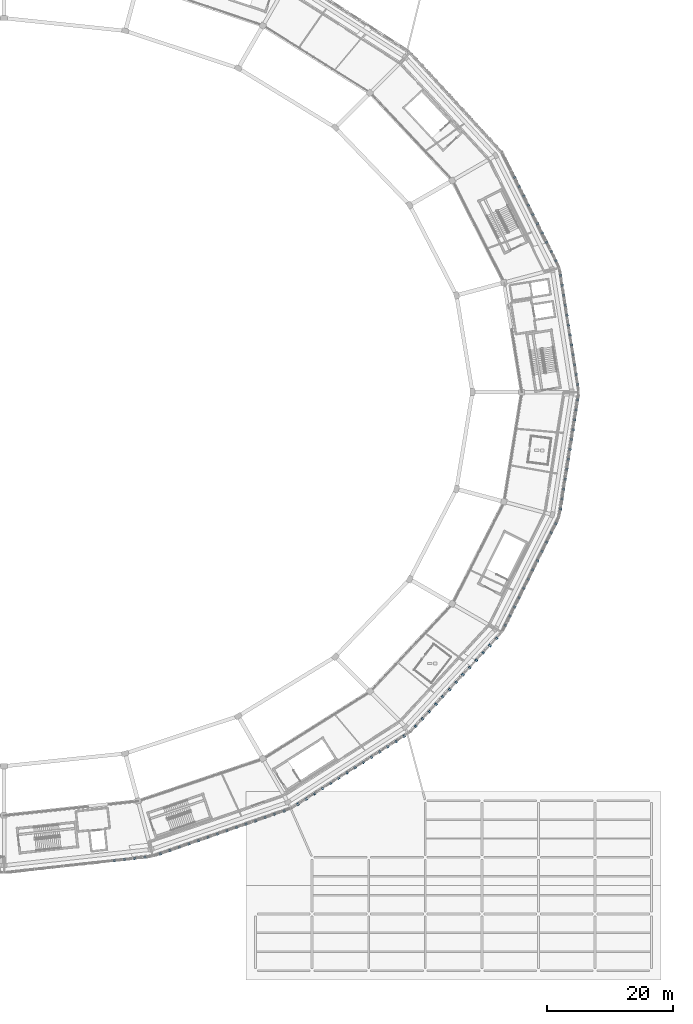
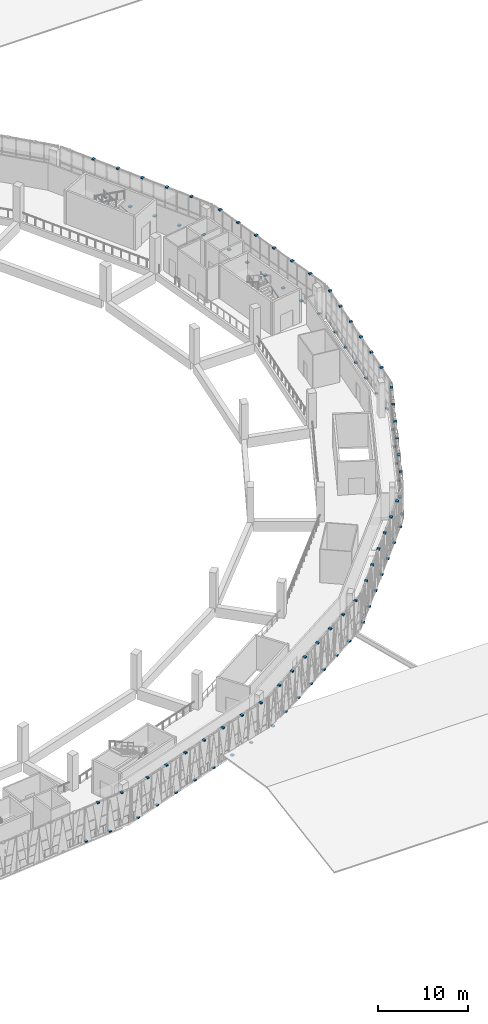
# One storey, part 78 of 108: 91 discrete accessories.
"""IFC4 building model written with IfcOpenShell, lengths in metres."""

from ifc_helpers import new_model, si_unit, direction, frame, origin, origin_2d, place, context, subcontext, project, spatial, rectangle, extrude, material, layer, layer_set, type_object, element, save


model = new_model("IFC4")

# Units and contexts
model_context = context("Model", 3, precision=1e-05, world=origin(), true_north=direction((0.0, 1.0)))
body_context = subcontext(model_context, "Body", "Model", "MODEL_VIEW")
ifc_project = project(units=[si_unit("LENGTHUNIT", "METRE"), si_unit("AREAUNIT", "SQUARE_METRE"), si_unit("VOLUMEUNIT", "CUBIC_METRE"), si_unit("PLANEANGLEUNIT", "RADIAN"), si_unit("MASSUNIT", "GRAM", prefix="KILO")], contexts=[model_context])

# Site, building, storey
site_placement = place(None, origin())
site = spatial("IfcSite", under=ifc_project, at=site_placement, CompositionType="ELEMENT")
building_placement = place(site_placement, origin())
building = spatial("IfcBuilding", under=site, at=building_placement, Name="Zevraka Park Crest Stadium", CompositionType="ELEMENT")
storey_placement = place(building_placement, frame((0.0, 0.0, 19.800048828125)))
storey = spatial("IfcBuildingStorey", under=building, at=storey_placement, Name="L04", CompositionType="ELEMENT", Elevation=19.800048828125)

# Discrete accessories
ifc_material = material(Name="Galvanised steel bracketry", Category="steel")
ifc_layer = layer(ifc_material, 0.1201171875)
ifc_layer_set = layer_set([ifc_layer], Name="Galvanised steel bracketry")
discrete_accessory_type = type_object("IfcDiscreteAccessoryType", Name="BRK01", PredefinedType="BRACKET", material=ifc_layer_set)
for number, where, z_axis, x_axis, name in (
    (1, (203.2470703125, 93.222900390625, -0.16015625), (0.0, 0.0, 1.0), (-0.155572484907, 0.987824479318, 0.0), "Bronze Screen Carrier Bracket BRK01 L04-00-1"),
    (2, (202.9990234375, 94.799072265625, 4.39990234375), (0.0, 0.0, 1.0), (-0.155572484907, 0.987824479318, 0.0), "Bronze Screen Carrier Bracket BRK01 L04-00-2"),
    (3, (202.7509765625, 96.375, -0.16015625), (0.0, 0.0, 1.0), (-0.155572484907, 0.987824479318, 0.0), "Bronze Screen Carrier Bracket BRK01 L04-00-3"),
    (4, (202.501953125, 97.950927734375, 4.39990234375), (0.0, 0.0, 1.0), (-0.155572484907, 0.987824479318, 0.0), "Bronze Screen Carrier Bracket BRK01 L04-00-4"),
    (5, (202.25390625, 99.527099609375, -0.16015625), (0.0, 0.0, 1.0), (-0.155572484907, 0.987824479318, 0.0), "Bronze Screen Carrier Bracket BRK01 L04-00-5"),
    (6, (202.006103515625, 101.10302734375, 4.39990234375), (0.0, 0.0, 1.0), (-0.155572484907, 0.987824479318, 0.0), "Bronze Screen Carrier Bracket BRK01 L04-00-6"),
    (7, (201.758056640625, 102.678955078125, -0.16015625), (0.0, 0.0, 1.0), (-0.155572484907, 0.987824479318, 0.0), "Bronze Screen Carrier Bracket BRK01 L04-00-7"),
    (8, (201.510009765625, 104.2548828125, 4.39990234375), (0.0, 0.0, 1.0), (-0.155572484907, 0.987824479318, 0.0), "Bronze Screen Carrier Bracket BRK01 L04-00-8"),
    (9, (201.261962890625, 105.8310546875, -0.16015625), (0.0, 0.0, 1.0), (-0.155572484907, 0.987824479318, 0.0), "Bronze Screen Carrier Bracket BRK01 L04-00-9"),
    (10, (201.012939453125, 107.406982421875, 4.39990234375), (0.0, 0.0, 1.0), (-0.155572484907, 0.987824479318, 0.0), "Bronze Screen Carrier Bracket BRK01 L04-00-10"),
    (11, (200.764892578125, 108.98291015625, -0.16015625), (0.0, 0.0, 1.0), (-0.155572484907, 0.987824479318, 0.0), "Bronze Screen Carrier Bracket BRK01 L04-00-11"),
    (12, (200.51708984375, 110.55908203125, 4.39990234375), (0.0, 0.0, 1.0), (-0.155572484907, 0.987824479318, 0.0), "Bronze Screen Carrier Bracket BRK01 L04-00-12"),
    (13, (199.763916015625, 112.910888671875, -0.16015625), (0.0, 0.0, 1.0), (-0.444009746106, 0.896021955849, 0.0), "Bronze Screen Carrier Bracket BRK01 L04-01-1"),
    (14, (199.035888671875, 114.382080078125, 4.39990234375), (0.0, 0.0, 1.0), (-0.444009746106, 0.896021955849, 0.0), "Bronze Screen Carrier Bracket BRK01 L04-01-2"),
    (15, (198.306884765625, 115.85205078125, -0.16015625), (0.0, 0.0, 1.0), (-0.444009746106, 0.896021955849, 0.0), "Bronze Screen Carrier Bracket BRK01 L04-01-3"),
    (16, (197.5791015625, 117.322021484375, 4.39990234375), (0.0, 0.0, 1.0), (-0.444009746106, 0.896021955849, 0.0), "Bronze Screen Carrier Bracket BRK01 L04-01-4"),
    (17, (196.85009765625, 118.79296875, -0.16015625), (0.0, 0.0, 1.0), (-0.444009746106, 0.896021955849, 0.0), "Bronze Screen Carrier Bracket BRK01 L04-01-5"),
    (18, (196.1220703125, 120.262939453125, 4.39990234375), (0.0, 0.0, 1.0), (-0.444009746106, 0.896021955849, 0.0), "Bronze Screen Carrier Bracket BRK01 L04-01-6"),
    (19, (195.39306640625, 121.73291015625, -0.16015625), (0.0, 0.0, 1.0), (-0.444009746106, 0.896021955849, 0.0), "Bronze Screen Carrier Bracket BRK01 L04-01-7"),
    (20, (194.6650390625, 123.202880859375, 4.39990234375), (0.0, 0.0, 1.0), (-0.444009746106, 0.896021955849, 0.0), "Bronze Screen Carrier Bracket BRK01 L04-01-8"),
    (21, (193.93603515625, 124.674072265625, -0.16015625), (0.0, 0.0, 1.0), (-0.444009746106, 0.896021955849, 0.0), "Bronze Screen Carrier Bracket BRK01 L04-01-9"),
    (22, (193.2080078125, 126.14404296875, 4.39990234375), (0.0, 0.0, 1.0), (-0.444009746106, 0.896021955849, 0.0), "Bronze Screen Carrier Bracket BRK01 L04-01-10"),
    (23, (129.531005859375, 17.490966796875, -0.16015625), (0.0, 0.0, 1.0), (0.993999199399, 0.109387346587, 0.0), "Bronze Screen Carrier Bracket BRK01 L04-18-11"),
    (24, (131.158935546875, 17.669921875, 4.39990234375), (0.0, 0.0, 1.0), (0.993999199399, 0.109387346587, 0.0), "Bronze Screen Carrier Bracket BRK01 L04-18-12"),
    (25, (132.785888671875, 17.84912109375, -0.16015625), (0.0, 0.0, 1.0), (0.993999199399, 0.109387346587, 0.0), "Bronze Screen Carrier Bracket BRK01 L04-18-13"),
    (26, (134.4140625, 18.028076171875, 4.39990234375), (0.0, 0.0, 1.0), (0.993999199399, 0.109387346587, 0.0), "Bronze Screen Carrier Bracket BRK01 L04-18-14"),
    (27, (136.844970703125, 18.573974609375, -0.16015625), (0.0, 0.0, 1.0), (0.944948912158, 0.327217898979, 0.0), "Bronze Screen Carrier Bracket BRK01 L04-19-1"),
    (28, (138.361083984375, 19.097900390625, 4.39990234375), (0.0, 0.0, 1.0), (0.944948912158, 0.327217898979, 0.0), "Bronze Screen Carrier Bracket BRK01 L04-19-2"),
    (29, (139.8759765625, 19.623046875, -0.16015625), (0.0, 0.0, 1.0), (0.944948912158, 0.327217898979, 0.0), "Bronze Screen Carrier Bracket BRK01 L04-19-3"),
    (30, (141.39208984375, 20.14794921875, 4.39990234375), (0.0, 0.0, 1.0), (0.944948912158, 0.327217898979, 0.0), "Bronze Screen Carrier Bracket BRK01 L04-19-4"),
    (31, (142.906982421875, 20.673095703125, -0.16015625), (0.0, 0.0, 1.0), (0.944948912158, 0.327217898979, 0.0), "Bronze Screen Carrier Bracket BRK01 L04-19-5"),
    (32, (144.423095703125, 21.197998046875, 4.39990234375), (0.0, 0.0, 1.0), (0.944948912158, 0.327217898979, 0.0), "Bronze Screen Carrier Bracket BRK01 L04-19-6"),
    (33, (145.93798828125, 21.722900390625, -0.16015625), (0.0, 0.0, 1.0), (0.944948912158, 0.327217898979, 0.0), "Bronze Screen Carrier Bracket BRK01 L04-19-7"),
    (34, (147.4541015625, 22.2470703125, 4.39990234375), (0.0, 0.0, 1.0), (0.944948912158, 0.327217898979, 0.0), "Bronze Screen Carrier Bracket BRK01 L04-19-8"),
    (35, (148.968994140625, 22.77197265625, -0.16015625), (0.0, 0.0, 1.0), (0.944948912158, 0.327217898979, 0.0), "Bronze Screen Carrier Bracket BRK01 L04-19-9"),
    (36, (150.485107421875, 23.297119140625, 4.39990234375), (0.0, 0.0, 1.0), (0.944948912158, 0.327217898979, 0.0), "Bronze Screen Carrier Bracket BRK01 L04-19-10"),
    (37, (152.0, 23.822021484375, -0.16015625), (0.0, 0.0, 1.0), (0.944948912158, 0.327217898979, 0.0), "Bronze Screen Carrier Bracket BRK01 L04-19-11"),
    (38, (153.51611328125, 24.346923828125, 4.39990234375), (0.0, 0.0, 1.0), (0.944948912158, 0.327217898979, 0.0), "Bronze Screen Carrier Bracket BRK01 L04-19-12"),
    (39, (155.031005859375, 24.8720703125, -0.16015625), (0.0, 0.0, 1.0), (0.944948912158, 0.327217898979, 0.0), "Bronze Screen Carrier Bracket BRK01 L04-19-13"),
    (40, (156.547119140625, 25.39599609375, 4.39990234375), (0.0, 0.0, 1.0), (0.944948912158, 0.327217898979, 0.0), "Bronze Screen Carrier Bracket BRK01 L04-19-14"),
    (41, (158.74609375, 26.4599609375, -0.16015625), (0.0, 0.0, 1.0), (0.841699310121, 0.539946544894, 0.0), "Bronze Screen Carrier Bracket BRK01 L04-20-1"),
    (42, (160.0458984375, 27.29296875, 4.39990234375), (0.0, 0.0, 1.0), (0.841699310121, 0.539946544894, 0.0), "Bronze Screen Carrier Bracket BRK01 L04-20-2"),
    (43, (161.344970703125, 28.126953125, -0.16015625), (0.0, 0.0, 1.0), (0.841699310121, 0.539946544894, 0.0), "Bronze Screen Carrier Bracket BRK01 L04-20-3"),
    (44, (162.64501953125, 28.9609375, 4.39990234375), (0.0, 0.0, 1.0), (0.841699310121, 0.539946544894, 0.0), "Bronze Screen Carrier Bracket BRK01 L04-20-4"),
    (45, (163.944091796875, 29.7939453125, -0.16015625), (0.0, 0.0, 1.0), (0.841699310121, 0.539946544894, 0.0), "Bronze Screen Carrier Bracket BRK01 L04-20-5"),
    (46, (165.243896484375, 30.6279296875, 4.39990234375), (0.0, 0.0, 1.0), (0.841699310121, 0.539946544894, 0.0), "Bronze Screen Carrier Bracket BRK01 L04-20-6"),
    (47, (166.54296875, 31.4619140625, -0.16015625), (0.0, 0.0, 1.0), (0.841699310121, 0.539946544894, 0.0), "Bronze Screen Carrier Bracket BRK01 L04-20-7"),
    (48, (167.843017578125, 32.294921875, 4.39990234375), (0.0, 0.0, 1.0), (0.841699310121, 0.539946544894, 0.0), "Bronze Screen Carrier Bracket BRK01 L04-20-8"),
    (49, (169.14208984375, 33.12890625, -0.16015625), (0.0, 0.0, 1.0), (0.841699310121, 0.539946544894, 0.0), "Bronze Screen Carrier Bracket BRK01 L04-20-9"),
    (50, (170.44189453125, 33.962890625, 4.39990234375), (0.0, 0.0, 1.0), (0.841699310121, 0.539946544894, 0.0), "Bronze Screen Carrier Bracket BRK01 L04-20-10"),
    (51, (171.740966796875, 34.7958984375, -0.16015625), (0.0, 0.0, 1.0), (0.841699310121, 0.539946544894, 0.0), "Bronze Screen Carrier Bracket BRK01 L04-20-11"),
    (52, (173.041015625, 35.6298828125, 4.39990234375), (0.0, 0.0, 1.0), (0.841699310121, 0.539946544894, 0.0), "Bronze Screen Carrier Bracket BRK01 L04-20-12"),
    (53, (174.340087890625, 36.464111328125, -0.16015625), (0.0, 0.0, 1.0), (0.841699310121, 0.539946544894, 0.0), "Bronze Screen Carrier Bracket BRK01 L04-20-13"),
    (54, (175.639892578125, 37.297119140625, 4.39990234375), (0.0, 0.0, 1.0), (0.841699310121, 0.539946544894, 0.0), "Bronze Screen Carrier Bracket BRK01 L04-20-14"),
    (55, (177.49609375, 38.862060546875, -0.16015625), (0.0, 0.0, 1.0), (0.676104759618, 0.736805506238, 0.0), "Bronze Screen Carrier Bracket BRK01 L04-21-1"),
    (56, (178.568115234375, 40.030029296875, 4.39990234375), (0.0, 0.0, 1.0), (0.676104759618, 0.736805506238, 0.0), "Bronze Screen Carrier Bracket BRK01 L04-21-2"),
    (57, (179.639892578125, 41.197998046875, -0.16015625), (0.0, 0.0, 1.0), (0.676104759618, 0.736805506238, 0.0), "Bronze Screen Carrier Bracket BRK01 L04-21-3"),
    (58, (180.7109375, 42.365966796875, 4.39990234375), (0.0, 0.0, 1.0), (0.676104759618, 0.736805506238, 0.0), "Bronze Screen Carrier Bracket BRK01 L04-21-4"),
    (59, (181.782958984375, 43.532958984375, -0.16015625), (0.0, 0.0, 1.0), (0.676104759618, 0.736805506238, 0.0), "Bronze Screen Carrier Bracket BRK01 L04-21-5"),
    (60, (182.85498046875, 44.700927734375, 4.39990234375), (0.0, 0.0, 1.0), (0.676104759618, 0.736805506238, 0.0), "Bronze Screen Carrier Bracket BRK01 L04-21-6"),
    (61, (183.927001953125, 45.868896484375, -0.16015625), (0.0, 0.0, 1.0), (0.676104759618, 0.736805506238, 0.0), "Bronze Screen Carrier Bracket BRK01 L04-21-7"),
    (62, (184.998046875, 47.037109375, 4.39990234375), (0.0, 0.0, 1.0), (0.676104759618, 0.736805506238, 0.0), "Bronze Screen Carrier Bracket BRK01 L04-21-8"),
    (63, (186.070068359375, 48.205078125, -0.16015625), (0.0, 0.0, 1.0), (0.676104759618, 0.736805506238, 0.0), "Bronze Screen Carrier Bracket BRK01 L04-21-9"),
    (64, (187.14208984375, 49.3720703125, 4.39990234375), (0.0, 0.0, 1.0), (0.676104759618, 0.736805506238, 0.0), "Bronze Screen Carrier Bracket BRK01 L04-21-10"),
    (65, (188.212890625, 50.5400390625, -0.16015625), (0.0, 0.0, 1.0), (0.676104759618, 0.736805506238, 0.0), "Bronze Screen Carrier Bracket BRK01 L04-21-11"),
    (66, (189.284912109375, 51.7080078125, 4.39990234375), (0.0, 0.0, 1.0), (0.676104759618, 0.736805506238, 0.0), "Bronze Screen Carrier Bracket BRK01 L04-21-12"),
    (67, (190.35693359375, 52.8759765625, -0.16015625), (0.0, 0.0, 1.0), (0.676104759618, 0.736805506238, 0.0), "Bronze Screen Carrier Bracket BRK01 L04-21-13"),
    (68, (191.7509765625, 54.9150390625, -0.16015625), (0.0, 0.0, 1.0), (0.444009746106, 0.896021955849, 0.0), "Bronze Screen Carrier Bracket BRK01 L04-22-1"),
    (69, (192.47900390625, 56.385986328125, 4.39990234375), (0.0, 0.0, 1.0), (0.444009746106, 0.896021955849, 0.0), "Bronze Screen Carrier Bracket BRK01 L04-22-2"),
    (70, (193.2080078125, 57.85595703125, -0.16015625), (0.0, 0.0, 1.0), (0.444009746106, 0.896021955849, 0.0), "Bronze Screen Carrier Bracket BRK01 L04-22-3"),
    (71, (193.93603515625, 59.325927734375, 4.39990234375), (0.0, 0.0, 1.0), (0.444009746106, 0.896021955849, 0.0), "Bronze Screen Carrier Bracket BRK01 L04-22-4"),
    (72, (194.6650390625, 60.797119140625, -0.16015625), (0.0, 0.0, 1.0), (0.444009746106, 0.896021955849, 0.0), "Bronze Screen Carrier Bracket BRK01 L04-22-5"),
    (73, (195.39306640625, 62.26708984375, 4.39990234375), (0.0, 0.0, 1.0), (0.444009746106, 0.896021955849, 0.0), "Bronze Screen Carrier Bracket BRK01 L04-22-6"),
    (74, (196.1220703125, 63.737060546875, -0.16015625), (0.0, 0.0, 1.0), (0.444009746106, 0.896021955849, 0.0), "Bronze Screen Carrier Bracket BRK01 L04-22-7"),
    (75, (196.85009765625, 65.20703125, 4.39990234375), (0.0, 0.0, 1.0), (0.444009746106, 0.896021955849, 0.0), "Bronze Screen Carrier Bracket BRK01 L04-22-8"),
    (76, (197.5791015625, 66.677978515625, -0.16015625), (0.0, 0.0, 1.0), (0.444009746106, 0.896021955849, 0.0), "Bronze Screen Carrier Bracket BRK01 L04-22-9"),
    (77, (198.306884765625, 68.14794921875, 4.39990234375), (0.0, 0.0, 1.0), (0.444009746106, 0.896021955849, 0.0), "Bronze Screen Carrier Bracket BRK01 L04-22-10"),
    (78, (199.035888671875, 69.617919921875, -0.16015625), (0.0, 0.0, 1.0), (0.444009746106, 0.896021955849, 0.0), "Bronze Screen Carrier Bracket BRK01 L04-22-11"),
    (79, (199.763916015625, 71.089111328125, 4.39990234375), (0.0, 0.0, 1.0), (0.444009746106, 0.896021955849, 0.0), "Bronze Screen Carrier Bracket BRK01 L04-22-12"),
    (80, (200.51708984375, 73.44091796875, -0.16015625), (0.0, 0.0, 1.0), (0.155572484907, 0.987824479318, 0.0), "Bronze Screen Carrier Bracket BRK01 L04-23-1"),
    (81, (200.764892578125, 75.01708984375, 4.39990234375), (0.0, 0.0, 1.0), (0.155572484907, 0.987824479318, 0.0), "Bronze Screen Carrier Bracket BRK01 L04-23-2"),
    (82, (201.012939453125, 76.593017578125, -0.16015625), (0.0, 0.0, 1.0), (0.155572484907, 0.987824479318, 0.0), "Bronze Screen Carrier Bracket BRK01 L04-23-3"),
    (83, (201.261962890625, 78.1689453125, 4.39990234375), (0.0, 0.0, 1.0), (0.155572484907, 0.987824479318, 0.0), "Bronze Screen Carrier Bracket BRK01 L04-23-4"),
    (84, (201.510009765625, 79.7451171875, -0.16015625), (0.0, 0.0, 1.0), (0.155572484907, 0.987824479318, 0.0), "Bronze Screen Carrier Bracket BRK01 L04-23-5"),
    (85, (201.758056640625, 81.321044921875, 4.39990234375), (0.0, 0.0, 1.0), (0.155572484907, 0.987824479318, 0.0), "Bronze Screen Carrier Bracket BRK01 L04-23-6"),
    (86, (202.006103515625, 82.89697265625, -0.16015625), (0.0, 0.0, 1.0), (0.155572484907, 0.987824479318, 0.0), "Bronze Screen Carrier Bracket BRK01 L04-23-7"),
    (87, (202.25390625, 84.472900390625, 4.39990234375), (0.0, 0.0, 1.0), (0.155572484907, 0.987824479318, 0.0), "Bronze Screen Carrier Bracket BRK01 L04-23-8"),
    (88, (202.501953125, 86.049072265625, -0.16015625), (0.0, 0.0, 1.0), (0.155572484907, 0.987824479318, 0.0), "Bronze Screen Carrier Bracket BRK01 L04-23-9"),
    (89, (202.7509765625, 87.625, 4.39990234375), (0.0, 0.0, 1.0), (0.155572484907, 0.987824479318, 0.0), "Bronze Screen Carrier Bracket BRK01 L04-23-10"),
    (90, (202.9990234375, 89.200927734375, -0.16015625), (0.0, 0.0, 1.0), (0.155572484907, 0.987824479318, 0.0), "Bronze Screen Carrier Bracket BRK01 L04-23-11"),
    (91, (203.2470703125, 90.777099609375, 4.39990234375), (0.0, 0.0, 1.0), (0.155572484907, 0.987824479318, 0.0), "Bronze Screen Carrier Bracket BRK01 L04-23-12"),
):
    element("IfcDiscreteAccessory", number, at=place(storey_placement, frame(where, z_axis=z_axis, x_axis=x_axis)), inside=storey, type_object=discrete_accessory_type, Name=name, PredefinedType="BRACKET", context=body_context, shape_type="SweptSolid", body=[
        extrude(rectangle(XDim=0.320068359375, YDim=0.360107421875, at=origin_2d()), origin(), (0.0, 0.0, 1.0), 0.159912109375),
    ])

save(model, "model.ifc")
